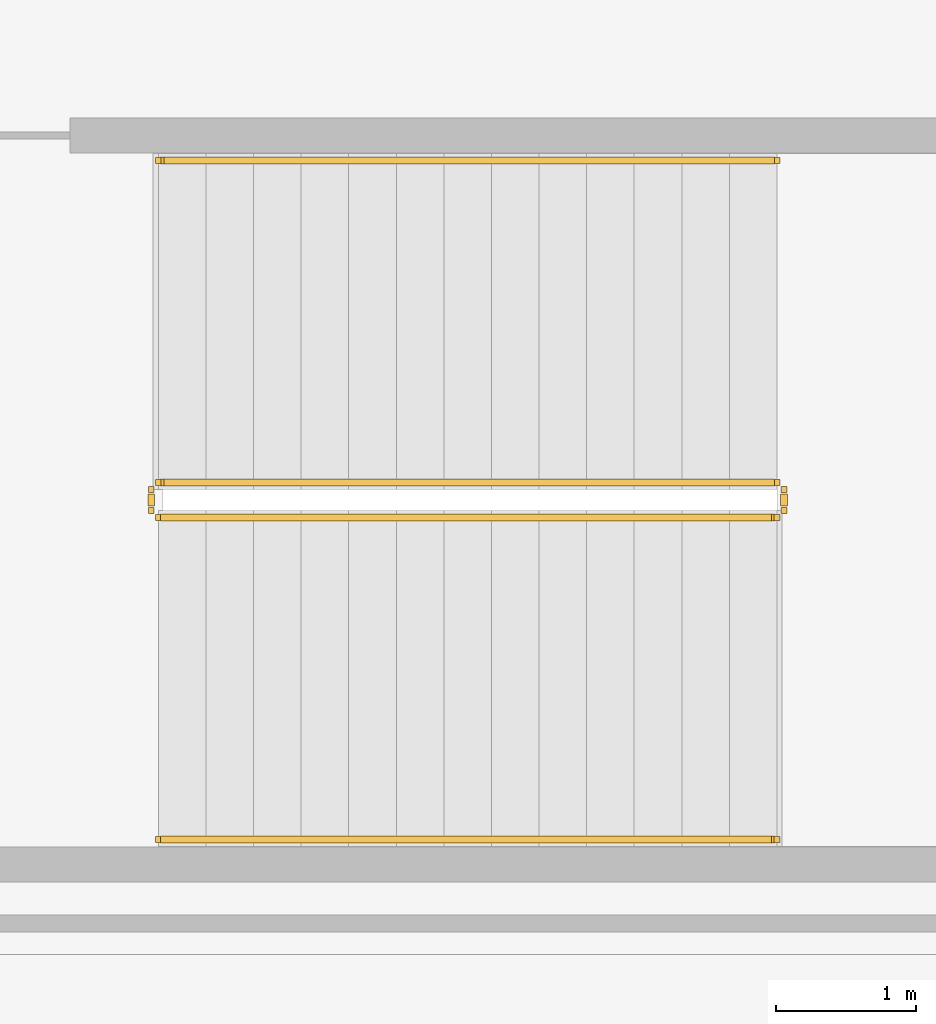
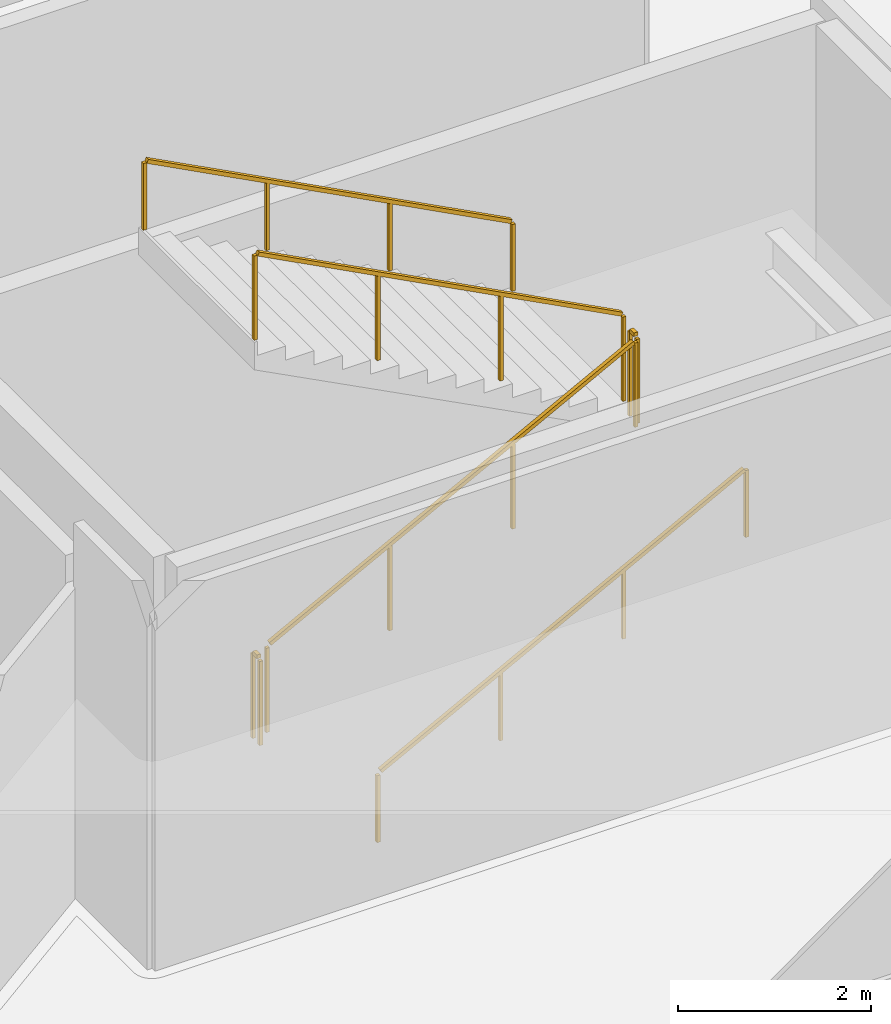
# One storey, part 16 of 20: 6 railings.
"""IFC4 building model written with IfcOpenShell, lengths in metres."""

from ifc_helpers import new_model, si_unit, direction, frame, origin, origin_2d, place, context, subcontext, project, spatial, rectangle, extrude, material, type_object, element, save


model = new_model("IFC4")

# Units and contexts
model_context = context("Model", 3, precision=1e-05, world=origin(), true_north=direction((0.0, 1.0)))
body_context = subcontext(model_context, "Body", "Model", "MODEL_VIEW")
ifc_project = project(units=[si_unit("LENGTHUNIT", "METRE"), si_unit("AREAUNIT", "SQUARE_METRE"), si_unit("VOLUMEUNIT", "CUBIC_METRE"), si_unit("PLANEANGLEUNIT", "RADIAN"), si_unit("MASSUNIT", "GRAM", prefix="KILO")], contexts=[model_context])

# Site, building, storey
site_placement = place(None, origin())
site = spatial("IfcSite", under=ifc_project, at=site_placement, CompositionType="ELEMENT")
building_placement = place(site_placement, origin())
building = spatial("IfcBuilding", under=site, at=building_placement, Name="Tharavind Bronze Gate", CompositionType="ELEMENT")
storey_placement = place(building_placement, frame((0.0, 0.0, 16.5)))
storey = spatial("IfcBuildingStorey", under=building, at=storey_placement, Name="L03", CompositionType="ELEMENT", Elevation=16.5)

# Railings
ifc_material = material(Name="Brushed Bronze Alloy", Category="metal")
railing_type_1 = type_object("IfcRailingType", Name="STAIR BRONZE HANDRAIL 900", PredefinedType="HANDRAIL", material=ifc_material)
railing_1_placement = place(storey_placement, frame((-26.0, -21.35009765625, 0.178466796875)))
element("IfcRailing", 1, at=railing_1_placement, inside=storey, type_object=railing_type_1, Name="L03 ST3 stair handrail 1", PredefinedType="HANDRAIL", context=body_context, shape_type="SweptSolid", body=[
    extrude(rectangle(XDim=0.048095703125, YDim=0.048095703125, at=origin_2d()), frame((0.0283203125, 0.0, 0.890625), z_axis=(0.885309332511, 0.0, 0.465002565336), x_axis=(0.0, 1.0, 0.0)), (0.0, 0.0, 1.0), 4.928466796875),
    extrude(rectangle(XDim=0.0400390625, YDim=0.0400390625, at=origin_2d()), origin(), (0.0, 0.0, 1.0), 0.847900390625),
    extrude(rectangle(XDim=0.0400390625, YDim=0.0400390625, at=origin_2d()), frame((1.473388671875, 0.0, 0.77392578125)), (0.0, 0.0, 1.0), 0.847900390625),
    extrude(rectangle(XDim=0.0400390625, YDim=0.0400390625, at=origin_2d()), frame((2.946533203125, 0.0, 1.547607421875)), (0.0, 0.0, 1.0), 0.847900390625),
    extrude(rectangle(XDim=0.0400390625, YDim=0.0400390625, at=origin_2d()), frame((4.419921875, 0.0, 2.321533203125)), (0.0, 0.0, 1.0), 0.847900390625),
])
railing_2_placement = place(storey_placement, frame((-21.580078125, -16.5, 2.678466796875)))
element("IfcRailing", 2, at=railing_2_placement, inside=storey, type_object=railing_type_1, Name="L03 ST3 stair handrail 2", PredefinedType="HANDRAIL", context=body_context, shape_type="SweptSolid", body=[
    extrude(rectangle(XDim=0.048095703125, YDim=0.048095703125, at=origin_2d()), frame((-0.0283203125, 0.0, 0.890625), z_axis=(-0.885309332511, 0.0, 0.465002565336), x_axis=(0.0, -1.0, 0.0)), (0.0, 0.0, 1.0), 4.928466796875),
    extrude(rectangle(XDim=0.0400390625, YDim=0.0400390625, at=origin_2d()), origin(), (0.0, 0.0, 1.0), 0.847900390625),
    extrude(rectangle(XDim=0.0400390625, YDim=0.0400390625, at=origin_2d()), frame((-1.473388671875, 0.0, 0.77392578125)), (0.0, 0.0, 1.0), 0.847900390625),
    extrude(rectangle(XDim=0.0400390625, YDim=0.0400390625, at=origin_2d()), frame((-2.946533203125, 0.0, 1.547607421875)), (0.0, 0.0, 1.0), 0.847900390625),
    extrude(rectangle(XDim=0.0400390625, YDim=0.0400390625, at=origin_2d()), frame((-4.419921875, 0.0, 2.321533203125)), (0.0, 0.0, 1.0), 0.847900390625),
])
railing_type_2 = type_object("IfcRailingType", Name="STAIR WELL GUARD RAILING 1120", PredefinedType="GUARDRAIL", material=ifc_material)
railing_3_placement = place(storey_placement, frame((-26.0, -19.050048828125, 0.178466796875)))
element("IfcRailing", 3, at=railing_3_placement, inside=storey, type_object=railing_type_2, Name="L03 ST3 stair guard 1", PredefinedType="GUARDRAIL", context=body_context, shape_type="SweptSolid", body=[
    extrude(rectangle(XDim=0.048095703125, YDim=0.048095703125, at=origin_2d()), frame((0.0283203125, 0.0, 1.11083984375), z_axis=(0.885309332511, 0.0, 0.465002565336), x_axis=(0.0, 1.0, 0.0)), (0.0, 0.0, 1.0), 4.928466796875),
    extrude(rectangle(XDim=0.0400390625, YDim=0.0400390625, at=origin_2d()), origin(), (0.0, 0.0, 1.0), 1.068115234375),
    extrude(rectangle(XDim=0.0400390625, YDim=0.0400390625, at=origin_2d()), frame((1.473388671875, 0.0, 0.77392578125)), (0.0, 0.0, 1.0), 1.068115234375),
    extrude(rectangle(XDim=0.0400390625, YDim=0.0400390625, at=origin_2d()), frame((2.946533203125, 0.0, 1.547607421875)), (0.0, 0.0, 1.0), 1.068115234375),
    extrude(rectangle(XDim=0.0400390625, YDim=0.0400390625, at=origin_2d()), frame((4.419921875, 0.0, 2.321533203125)), (0.0, 0.0, 1.0), 1.068115234375),
])
railing_4_placement = place(storey_placement, frame((-21.530029296875, -19.0, 2.5)))
element("IfcRailing", 4, at=railing_4_placement, inside=storey, type_object=railing_type_2, Name="L03 ST3 stair guard 2", PredefinedType="GUARDRAIL", context=body_context, shape_type="SweptSolid", body=[
    extrude(rectangle(XDim=0.048095703125, YDim=0.048095703125, at=origin_2d()), frame((0.0, 0.031982421875, 1.09619140625), z_axis=(0.0, 1.0, 0.0), x_axis=(-1.0, 0.0, 0.0)), (0.0, 0.0, 1.0), 0.0859375),
    extrude(rectangle(XDim=0.0400390625, YDim=0.0400390625, at=origin_2d()), origin(), (0.0, 0.0, 1.0), 1.068115234375),
    extrude(rectangle(XDim=0.0400390625, YDim=0.0400390625, at=origin_2d()), frame((0.0, 0.14990234375, 0.0)), (0.0, 0.0, 1.0), 1.068115234375),
])
railing_5_placement = place(storey_placement, frame((-21.580078125, -18.800048828125, 2.678466796875)))
element("IfcRailing", 5, at=railing_5_placement, inside=storey, type_object=railing_type_2, Name="L03 ST3 stair guard 3", PredefinedType="GUARDRAIL", context=body_context, shape_type="SweptSolid", body=[
    extrude(rectangle(XDim=0.048095703125, YDim=0.048095703125, at=origin_2d()), frame((-0.0283203125, 0.0, 1.11083984375), z_axis=(-0.885309332511, 0.0, 0.465002565336), x_axis=(0.0, -1.0, 0.0)), (0.0, 0.0, 1.0), 4.928466796875),
    extrude(rectangle(XDim=0.0400390625, YDim=0.0400390625, at=origin_2d()), origin(), (0.0, 0.0, 1.0), 1.068115234375),
    extrude(rectangle(XDim=0.0400390625, YDim=0.0400390625, at=origin_2d()), frame((-1.473388671875, 0.0, 0.77392578125)), (0.0, 0.0, 1.0), 1.068115234375),
    extrude(rectangle(XDim=0.0400390625, YDim=0.0400390625, at=origin_2d()), frame((-2.946533203125, 0.0, 1.547607421875)), (0.0, 0.0, 1.0), 1.068115234375),
    extrude(rectangle(XDim=0.0400390625, YDim=0.0400390625, at=origin_2d()), frame((-4.419921875, 0.0, 2.321533203125)), (0.0, 0.0, 1.0), 1.068115234375),
])
railing_6_placement = place(storey_placement, frame((-26.050048828125, -19.0, 0.0)))
element("IfcRailing", 6, at=railing_6_placement, inside=storey, type_object=railing_type_2, Name="L03 ST3 stair guard 4", PredefinedType="GUARDRAIL", context=body_context, shape_type="SweptSolid", body=[
    extrude(rectangle(XDim=0.048095703125, YDim=0.048095703125, at=origin_2d()), frame((0.0, 0.031982421875, 1.09619140625), z_axis=(0.0, 1.0, 0.0), x_axis=(-1.0, 0.0, 0.0)), (0.0, 0.0, 1.0), 0.0859375),
    extrude(rectangle(XDim=0.0400390625, YDim=0.0400390625, at=origin_2d()), origin(), (0.0, 0.0, 1.0), 1.068115234375),
    extrude(rectangle(XDim=0.0400390625, YDim=0.0400390625, at=origin_2d()), frame((0.0, 0.14990234375, 0.0)), (0.0, 0.0, 1.0), 1.068115234375),
])

save(model, "model.ifc")
